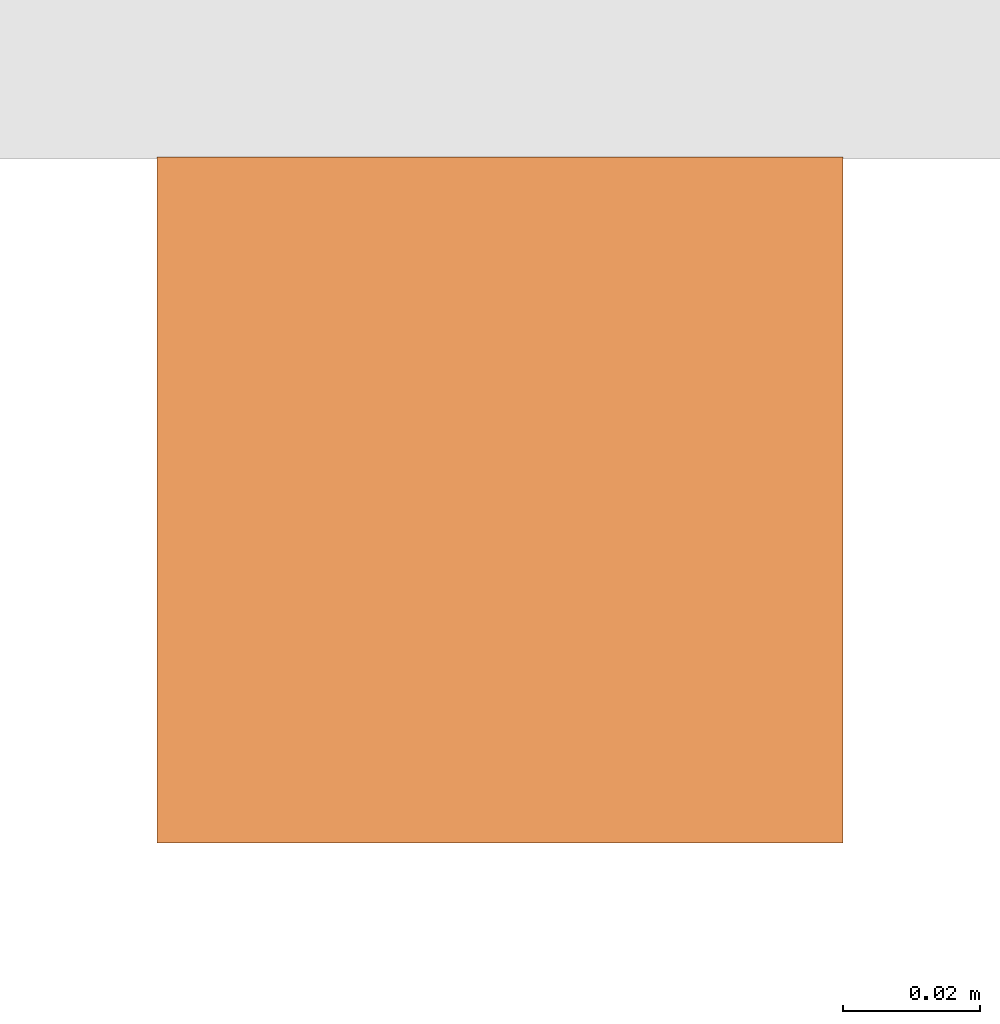
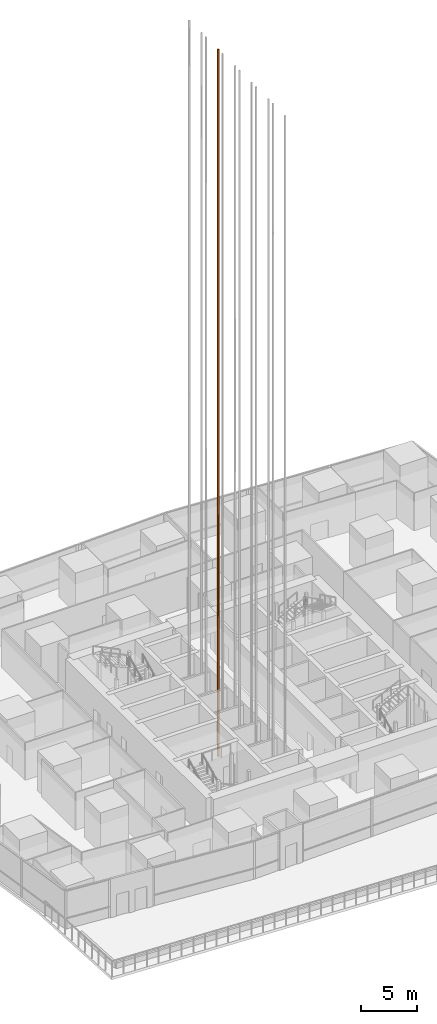
# One storey, part 41 of 44: 1 proxy.
"""IFC4 building model written with IfcOpenShell, lengths in metres."""

from ifc_helpers import new_model, si_unit, direction, frame, origin, origin_2d, place, context, subcontext, project, spatial, rectangle, extrude, material, type_object, element, save


model = new_model("IFC4")

# Units and contexts
model_context = context("Model", 3, precision=1e-05, world=origin(), true_north=direction((0.0, 1.0)))
body_context = subcontext(model_context, "Body", "Model", "MODEL_VIEW")
ifc_project = project(units=[si_unit("LENGTHUNIT", "METRE"), si_unit("AREAUNIT", "SQUARE_METRE"), si_unit("VOLUMEUNIT", "CUBIC_METRE"), si_unit("PLANEANGLEUNIT", "RADIAN"), si_unit("MASSUNIT", "GRAM", prefix="KILO")], contexts=[model_context])

# Site, building, storey
site_placement = place(None, origin())
site = spatial("IfcSite", under=ifc_project, at=site_placement, CompositionType="ELEMENT")
building_placement = place(site_placement, origin())
building = spatial("IfcBuilding", under=site, at=building_placement, Name="Rekha Terrace Tower", CompositionType="ELEMENT")
storey_placement = place(building_placement, frame((0.0, 0.0, 90.800048828125)))
storey = spatial("IfcBuildingStorey", under=building, at=storey_placement, Name="L22", CompositionType="ELEMENT", Elevation=90.800048828125)

# Proxy
ifc_material = material(Name="Steel guide rail", Category="steel")
building_element_proxy_type = type_object("IfcBuildingElementProxyType", Name="LR1 100 lift guide rail", PredefinedType="ELEMENT", material=ifc_material)
proxy_placement = place(storey_placement, frame((34.5, 35.800048828125, -3.300048828125), z_axis=(0.0, 0.0, 1.0), x_axis=(1.0, 0.0, 0.0)))
element("IfcBuildingElementProxy", 1, at=proxy_placement, inside=storey, type_object=building_element_proxy_type, Name="Lift B5 guide rail 1", PredefinedType="ELEMENT", context=body_context, shape_type="SweptSolid", body=[
    extrude(rectangle(XDim=0.10009765625, YDim=0.10009765625, at=origin_2d()), origin(), (0.0, 0.0, 1.0), 77.39990234375),
])

save(model, "model.ifc")
